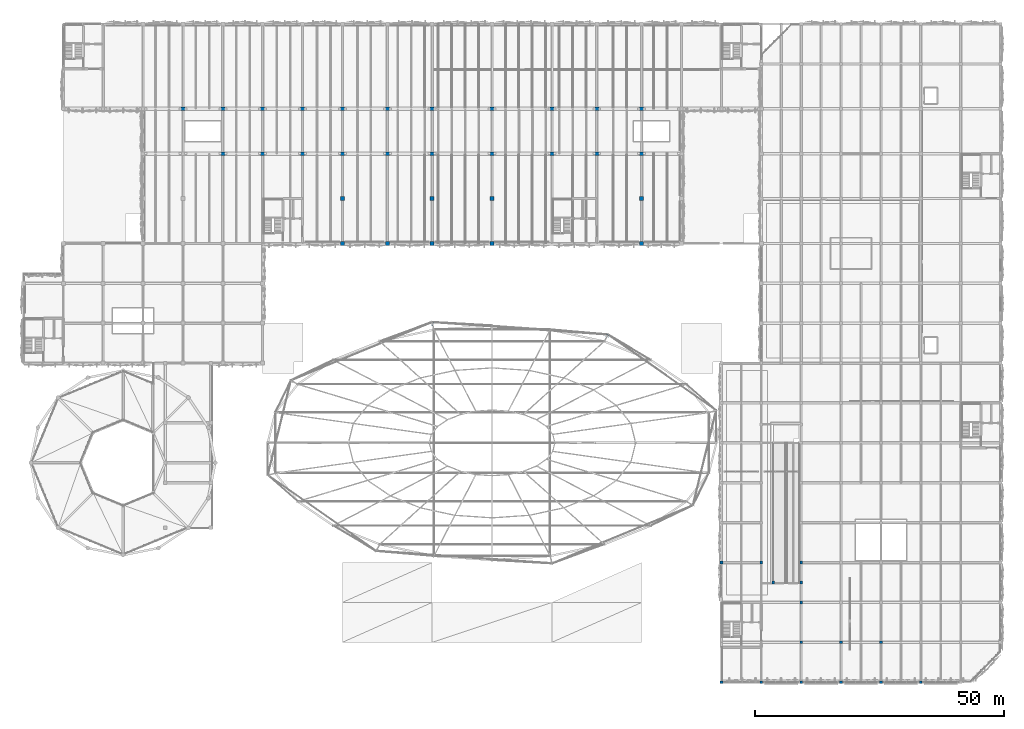
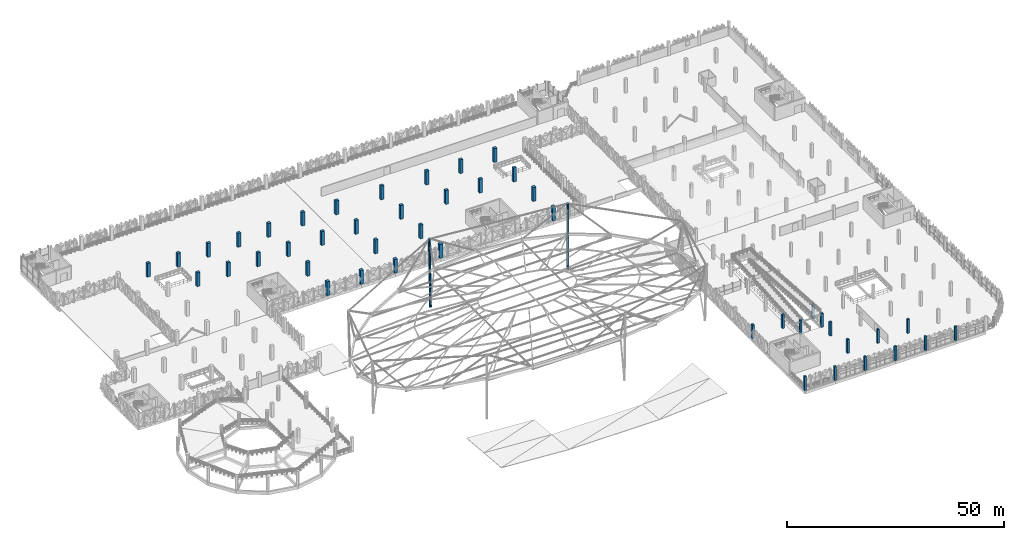
# One storey, part 3 of 96: 47 columns.
"""IFC4 building model written with IfcOpenShell, lengths in metres."""

from ifc_helpers import new_model, si_unit, derived_unit, direction, frame, origin, origin_2d, place, context, subcontext, project, spatial, rectangle, hollow_circle, extrude, material, material_profile, profile_set, type_object, element, save


model = new_model("IFC4")

# Units and contexts
model_context = context("Model", 3, precision=1e-05, world=origin(), true_north=direction((0.0, 1.0)))
body_context = subcontext(model_context, "Body", "Model", "MODEL_VIEW")
ifc_project = project(units=[si_unit("LENGTHUNIT", "METRE"), si_unit("AREAUNIT", "SQUARE_METRE"), si_unit("VOLUMEUNIT", "CUBIC_METRE"), si_unit("PLANEANGLEUNIT", "RADIAN"), si_unit("MASSUNIT", "GRAM", prefix="KILO"), si_unit("THERMODYNAMICTEMPERATUREUNIT", "KELVIN"), derived_unit("THERMALTRANSMITTANCEUNIT", [(si_unit("POWERUNIT", "WATT"), 1), (si_unit("AREAUNIT", "SQUARE_METRE"), -1), (si_unit("THERMODYNAMICTEMPERATUREUNIT", "KELVIN"), -1)])], contexts=[model_context])

# Site, building, storey
site_placement = place(None, origin())
site = spatial("IfcSite", under=ifc_project, at=site_placement, CompositionType="ELEMENT")
building_placement = place(site_placement, origin())
building = spatial("IfcBuilding", under=site, at=building_placement, Name="Haiyu Intermodal Mobility Hub", CompositionType="ELEMENT")
storey_placement = place(building_placement, frame((0.0, 0.0, 9.5)))
storey = spatial("IfcBuildingStorey", under=building, at=storey_placement, Name="L02", CompositionType="ELEMENT", Elevation=9.5)

# Columns
ifc_material_1 = material(Name="Precast concrete C40", Category="concrete")
ifc_material_profile_1 = material_profile(ifc_material_1, rectangle(XDim=0.800048828125, YDim=0.800048828125, at=origin_2d()), Name="RC800x800")
ifc_profile_set_1 = profile_set([ifc_material_profile_1], Name="Precast concrete C40")
column_type_1 = type_object("IfcColumnType", Name="COL-CC02", PredefinedType="COLUMN", material=ifc_profile_set_1)
for number, where, z_axis, x_axis, name in (
    (1, (78.0, 113.0, 0.0), (0.0, 0.0, 1.0), (1.0, 0.0, 0.0), "Column V3S-9N L02"),
    (2, (96.0, 113.0, 0.0), (0.0, 0.0, 1.0), (1.0, 0.0, 0.0), "Column V3S-11N L02"),
    (3, (108.0, 113.0, 0.0), (0.0, 0.0, 1.0), (1.0, 0.0, 0.0), "Column V3S-12N L02"),
    (4, (138.0, 113.0, 0.0), (0.0, 0.0, 1.0), (1.0, 0.0, 0.0), "Column V3S-15N L02"),
):
    element("IfcColumn", number, at=place(storey_placement, frame(where, z_axis=z_axis, x_axis=x_axis)), inside=storey, type_object=column_type_1, Name=name, PredefinedType="COLUMN", context=body_context, shape_type="SweptSolid", body=[
        extrude(rectangle(XDim=0.800048828125, YDim=0.800048828125, at=origin_2d()), origin(), (0.0, 0.0, 1.0), 3.89990234375),
    ])
ifc_material_profile_2 = material_profile(ifc_material_1, rectangle(XDim=0.800048828125, YDim=0.800048828125, at=origin_2d()), Name="RC800x800")
ifc_profile_set_2 = profile_set([ifc_material_profile_2], Name="Precast concrete C40")
column_type_2 = type_object("IfcColumnType", Name="COL-CC02-EXT", PredefinedType="COLUMN", material=ifc_profile_set_2)
for number, where, z_axis, x_axis, name in (
    (5, (78.0, 104.0, 0.0), (0.0, 0.0, 1.0), (1.0, 0.0, 0.0), "Column V4-9M L02"),
    (6, (87.0, 104.0, 0.0), (0.0, 0.0, 1.0), (1.0, 0.0, 0.0), "Column V4-10M L02"),
    (7, (96.0, 104.0, 0.0), (0.0, 0.0, 1.0), (1.0, 0.0, 0.0), "Column V4-11M L02"),
    (8, (108.0, 104.0, 0.0), (0.0, 0.0, 1.0), (1.0, 0.0, 0.0), "Column V4-12M L02"),
    (9, (138.0, 104.0, 0.0), (0.0, 0.0, 1.0), (1.0, 0.0, 0.0), "Column V4-15M L02"),
):
    element("IfcColumn", number, at=place(storey_placement, frame(where, z_axis=z_axis, x_axis=x_axis)), inside=storey, type_object=column_type_2, Name=name, PredefinedType="COLUMN", context=body_context, shape_type="SweptSolid", body=[
        extrude(rectangle(XDim=0.800048828125, YDim=0.800048828125, at=origin_2d()), origin(), (0.0, 0.0, 1.0), 3.89990234375),
    ])
ifc_material_2 = material(Name="Concrete C40", Category="concrete")
ifc_material_profile_3 = material_profile(ifc_material_2, rectangle(XDim=0.550048828125, YDim=0.550048828125, at=origin_2d()), Name="RC550x550")
ifc_profile_set_3 = profile_set([ifc_material_profile_3], Name="Concrete C40")
column_type_3 = type_object("IfcColumnType", Name="COL-CC11", PredefinedType="COLUMN", material=ifc_profile_set_3)
for number, where, z_axis, x_axis, name in (
    (10, (170.0, 24.0, 0.0), (0.0, 0.0, 1.0), (1.0, 0.0, 0.0), "Column V5-19B L02"),
    (11, (170.0, 32.0, 0.0), (0.0, 0.0, 1.0), (1.0, 0.0, 0.0), "Column V5-19C L02"),
    (12, (170.0, 40.0, 0.0), (0.0, 0.0, 1.0), (1.0, 0.0, 0.0), "Column V5-19D L02"),
    (13, (178.0, 24.0, 0.0), (0.0, 0.0, 1.0), (1.0, 0.0, 0.0), "Column V5-20B L02"),
    (14, (186.0, 24.0, 0.0), (0.0, 0.0, 1.0), (1.0, 0.0, 0.0), "Column V5-21B L02"),
    (15, (164.39990234375, 36.0, 0.0), (0.0, 0.0, 1.0), (1.0, 0.0, 0.0), "Column BRMP-1 L02"),
    (16, (170.0, 36.0, 0.0), (0.0, 0.0, 1.0), (1.0, 0.0, 0.0), "Column BRMP-2 L02"),
):
    element("IfcColumn", number, at=place(storey_placement, frame(where, z_axis=z_axis, x_axis=x_axis)), inside=storey, type_object=column_type_3, Name=name, PredefinedType="COLUMN", context=body_context, shape_type="SweptSolid", body=[
        extrude(rectangle(XDim=0.550048828125, YDim=0.550048828125, at=origin_2d()), origin(), (0.0, 0.0, 1.0), 3.89990234375),
    ])
ifc_material_profile_4 = material_profile(ifc_material_2, rectangle(XDim=0.550048828125, YDim=0.550048828125, at=origin_2d()), Name="RC550x550")
ifc_profile_set_4 = profile_set([ifc_material_profile_4], Name="Concrete C40")
column_type_4 = type_object("IfcColumnType", Name="COL-CC11-EXT", PredefinedType="COLUMN", material=ifc_profile_set_4)
for number, where, z_axis, x_axis, name in (
    (17, (154.0, 40.0, 0.0), (0.0, 0.0, 1.0), (1.0, 0.0, 0.0), "Column V1-17D L02"),
    (18, (154.0, 16.0, 0.0), (0.0, 0.0, 1.0), (1.0, 0.0, 0.0), "Column V5-17A L02"),
    (19, (162.0, 16.0, 0.0), (0.0, 0.0, 1.0), (1.0, 0.0, 0.0), "Column V5-18A L02"),
    (20, (162.0, 40.0, 0.0), (0.0, 0.0, 1.0), (1.0, 0.0, 0.0), "Column V5-18D L02"),
    (21, (170.0, 16.0, 0.0), (0.0, 0.0, 1.0), (1.0, 0.0, 0.0), "Column V5-19A L02"),
    (22, (178.0, 16.0, 0.0), (0.0, 0.0, 1.0), (1.0, 0.0, 0.0), "Column V5-20A L02"),
    (23, (186.0, 16.0, 0.0), (0.0, 0.0, 1.0), (1.0, 0.0, 0.0), "Column V5-21A L02"),
    (24, (194.0, 16.0, 0.0), (0.0, 0.0, 1.0), (1.0, 0.0, 0.0), "Column V5-22A L02"),
):
    element("IfcColumn", number, at=place(storey_placement, frame(where, z_axis=z_axis, x_axis=x_axis)), inside=storey, type_object=column_type_4, Name=name, PredefinedType="COLUMN", context=body_context, shape_type="SweptSolid", body=[
        extrude(rectangle(XDim=0.550048828125, YDim=0.550048828125, at=origin_2d()), origin(), (0.0, 0.0, 1.0), 3.89990234375),
    ])
ifc_material_profile_5 = material_profile(ifc_material_1, rectangle(XDim=0.800048828125, YDim=0.699951171875, at=origin_2d()), Name="C800x700")
ifc_profile_set_5 = profile_set([ifc_material_profile_5], Name="Precast concrete C40")
column_type_5 = type_object("IfcColumnType", Name="COL-CC20", PredefinedType="COLUMN", material=ifc_profile_set_5)
for number, where, z_axis, x_axis, name in (
    (25, (46.0, 131.0, 0.0), (0.0, 0.0, 1.0), (1.0, 0.0, 0.0), "Column V4-5Q L02"),
    (26, (54.0, 122.0, 0.0), (0.0, 0.0, 1.0), (1.0, 0.0, 0.0), "Column V4-6P L02"),
    (27, (54.0, 131.0, 0.0), (0.0, 0.0, 1.0), (1.0, 0.0, 0.0), "Column V4-6Q L02"),
    (28, (62.0, 122.0, 0.0), (0.0, 0.0, 1.0), (1.0, 0.0, 0.0), "Column V4-7P L02"),
    (29, (62.0, 131.0, 0.0), (0.0, 0.0, 1.0), (1.0, 0.0, 0.0), "Column V4-7Q L02"),
    (30, (70.0, 122.0, 0.0), (0.0, 0.0, 1.0), (1.0, 0.0, 0.0), "Column V4-8P L02"),
    (31, (70.0, 131.0, 0.0), (0.0, 0.0, 1.0), (1.0, 0.0, 0.0), "Column V4-8Q L02"),
    (32, (78.0, 122.0, 0.0), (0.0, 0.0, 1.0), (1.0, 0.0, 0.0), "Column V4-9P L02"),
    (33, (78.0, 131.0, 0.0), (0.0, 0.0, 1.0), (1.0, 0.0, 0.0), "Column V4-9Q L02"),
    (34, (87.0, 122.0, 0.0), (0.0, 0.0, 1.0), (1.0, 0.0, 0.0), "Column V4-10P L02"),
    (35, (87.0, 131.0, 0.0), (0.0, 0.0, 1.0), (1.0, 0.0, 0.0), "Column V4-10Q L02"),
    (36, (96.0, 122.0, 0.0), (0.0, 0.0, 1.0), (1.0, 0.0, 0.0), "Column V4-11P L02"),
    (37, (96.0, 131.0, 0.0), (0.0, 0.0, 1.0), (1.0, 0.0, 0.0), "Column V4-11Q L02"),
    (38, (108.0, 122.0, 0.0), (0.0, 0.0, 1.0), (1.0, 0.0, 0.0), "Column V4-12P L02"),
    (39, (108.0, 131.0, 0.0), (0.0, 0.0, 1.0), (1.0, 0.0, 0.0), "Column V4-12Q L02"),
    (40, (120.0, 122.0, 0.0), (0.0, 0.0, 1.0), (1.0, 0.0, 0.0), "Column V4-13P L02"),
    (41, (120.0, 131.0, 0.0), (0.0, 0.0, 1.0), (1.0, 0.0, 0.0), "Column V4-13Q L02"),
    (42, (129.0, 122.0, 0.0), (0.0, 0.0, 1.0), (1.0, 0.0, 0.0), "Column V4-14P L02"),
    (43, (129.0, 131.0, 0.0), (0.0, 0.0, 1.0), (1.0, 0.0, 0.0), "Column V4-14Q L02"),
    (44, (138.0, 122.0, 0.0), (0.0, 0.0, 1.0), (1.0, 0.0, 0.0), "Column V4-15P L02"),
    (45, (138.0, 131.0, 0.0), (0.0, 0.0, 1.0), (1.0, 0.0, 0.0), "Column V4-15Q L02"),
):
    element("IfcColumn", number, at=place(storey_placement, frame(where, z_axis=z_axis, x_axis=x_axis)), inside=storey, type_object=column_type_5, Name=name, PredefinedType="COLUMN", context=body_context, shape_type="SweptSolid", body=[
        extrude(rectangle(XDim=0.800048828125, YDim=0.699951171875, at=origin_2d()), origin(), (0.0, 0.0, 1.0), 3.89990234375),
    ])
ifc_material_3 = material(Name="Steel Q355C", Category="steel")
ifc_material_profile_6 = material_profile(ifc_material_3, hollow_circle(Radius=0.304931640625, WallThickness=0.02001953125, at=origin_2d()), Name="CHS610x20")
ifc_profile_set_6 = profile_set([ifc_material_profile_6], Name="Steel Q355C")
column_type_6 = type_object("IfcColumnType", Name="COL-SC01-EXT", PredefinedType="COLUMN", material=ifc_profile_set_6)
column_1_placement = place(storey_placement, frame((131.10009765625, 85.39111328125, 0.0), z_axis=(0.009655862533, 0.016735929334, 0.999813319069), x_axis=(-0.866173965983, 0.499742594395, 0.0)))
element("IfcColumn", 46, at=column_1_placement, inside=storey, type_object=column_type_6, Name="Inclined Cable-Net Steel Mast MC-02", PredefinedType="COLUMN", context=body_context, shape_type="SweptSolid", body=[
    extrude(hollow_circle(Radius=0.304931640625, WallThickness=0.02001953125, at=origin_2d()), origin(), (0.0, 0.0, 1.0), 18.103515625),
])
column_2_placement = place(storey_placement, frame((96.04296875, 87.85791015625, 0.0), z_axis=(-0.004797598443, 0.017814138991, 0.999829805267), x_axis=(-0.965595561402, -0.260048479713, 0.0)))
element("IfcColumn", 47, at=column_2_placement, inside=storey, type_object=column_type_6, Name="Inclined Cable-Net Steel Mast MC-03", PredefinedType="COLUMN", context=body_context, shape_type="SweptSolid", body=[
    extrude(hollow_circle(Radius=0.304931640625, WallThickness=0.02001953125, at=origin_2d()), origin(), (0.0, 0.0, 1.0), 18.981201171875),
])

save(model, "model.ifc")
